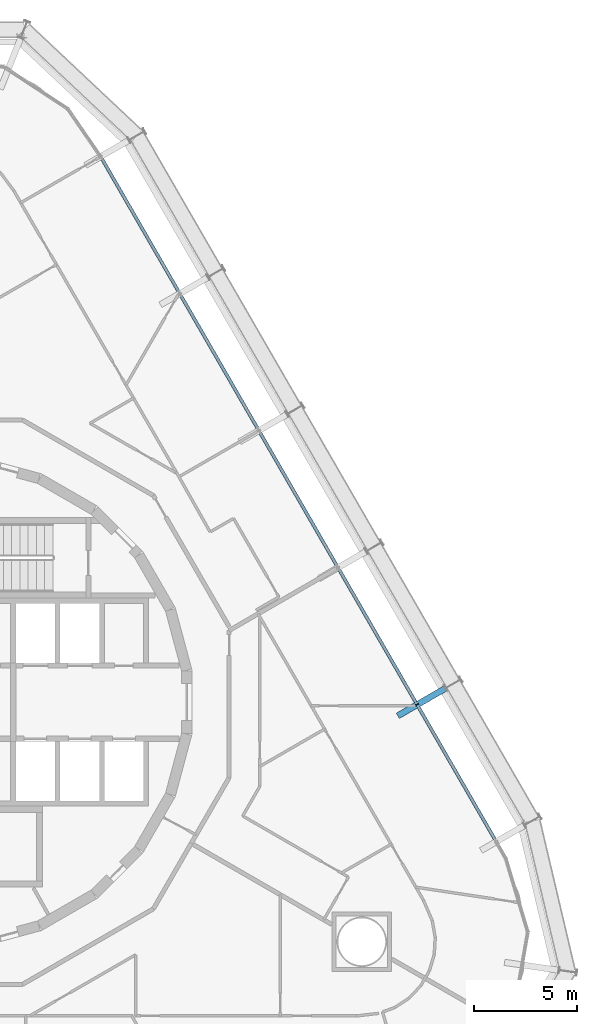
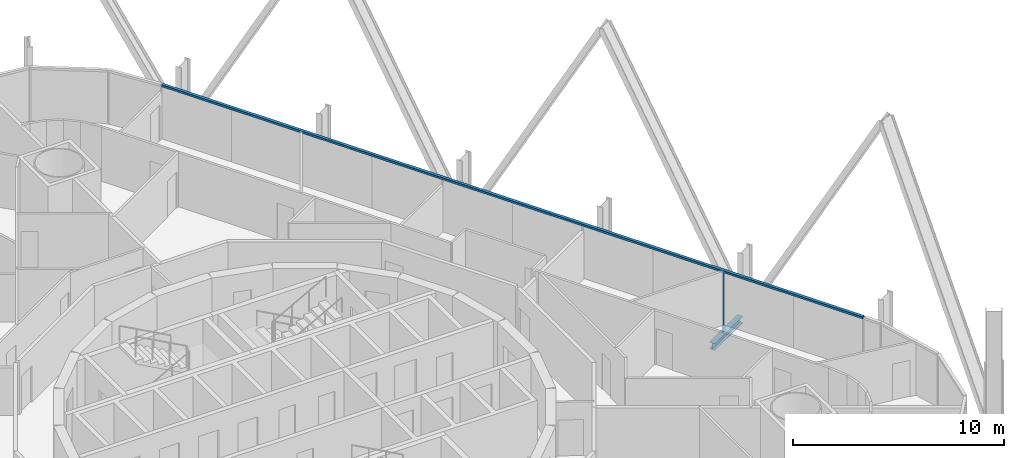
# One storey, part 8 of 21: 2 members, 1 beam, 1 element without a shape of its own.
"""IFC4 building model written with IfcOpenShell, lengths in metres."""

from ifc_helpers import new_model, si_unit, direction, frame, origin, origin_2d, place, context, subcontext, project, spatial, rectangle, i_section, extrude, material, layer, layer_set, material_profile, profile_set, type_object, element, aggregate, save


model = new_model("IFC4")

# Units and contexts
model_context = context("Model", 3, precision=1e-05, world=origin(), true_north=direction((0.0, 1.0)))
body_context = subcontext(model_context, "Body", "Model", "MODEL_VIEW")
ifc_project = project(units=[si_unit("LENGTHUNIT", "METRE"), si_unit("AREAUNIT", "SQUARE_METRE"), si_unit("VOLUMEUNIT", "CUBIC_METRE"), si_unit("PLANEANGLEUNIT", "RADIAN"), si_unit("MASSUNIT", "GRAM", prefix="KILO")], contexts=[model_context])

# Site, building, storey
site_placement = place(None, origin())
site = spatial("IfcSite", under=ifc_project, at=site_placement, CompositionType="ELEMENT")
building_placement = place(site_placement, origin())
building = spatial("IfcBuilding", under=site, at=building_placement, Name="Spindle Arch Residences", CompositionType="ELEMENT")
storey_placement = place(building_placement, frame((0.0, 0.0, 38.39990234375)))
storey = spatial("IfcBuildingStorey", under=building, at=storey_placement, Name="L07", CompositionType="ELEMENT", Elevation=38.39990234375)

# Curtain wall, members
ifc_material_1 = material(Name="Aluminium bronze unitised frame with tinted glass", Category="aluminium")
ifc_layer = layer(ifc_material_1, 0.159912109375)
ifc_layer_set = layer_set([ifc_layer], Name="CW-C typical residential unitised wall")
curtain_wall_type = type_object("IfcCurtainWallType", Name="CW-C typical residential unitised wall", PredefinedType="NOTDEFINED", material=ifc_layer_set)
curtain_wall_placement = place(storey_placement, origin())
curtain_wall = element("IfcCurtainWall", 1, at=curtain_wall_placement, inside=storey, type_object=curtain_wall_type, Name="CW-C L07 run 2", PredefinedType="NOTDEFINED")
ifc_material_2 = material(Name="Aluminium bronze anodised mullion", Category="aluminium")
ifc_material_profile_1 = material_profile(ifc_material_2, rectangle(XDim=0.159912109375, YDim=0.06005859375, at=origin_2d()), Name="MU 60x160")
ifc_profile_set_1 = profile_set([ifc_material_profile_1], Name="Aluminium bronze anodised mullion")
member_type_1 = type_object("IfcMemberType", Name="Bronze mullion 60x160", PredefinedType="MULLION", material=ifc_profile_set_1)
member_1_placement = place(storey_placement, frame((22.829345703125, -0.121826171875, -0.449951171875), z_axis=(0.0, 0.0, 1.0), x_axis=(-0.866025403784, -0.5, 0.0)))
member_1 = element("IfcMember", 2, at=member_1_placement, type_object=member_type_1, Name="CW-C mullion 06", PredefinedType="MULLION", context=body_context, shape_type="SweptSolid", body=[
    extrude(rectangle(XDim=0.159912109375, YDim=0.06005859375, at=origin_2d()), origin(), (0.0, 0.0, 1.0), 3.449951171875),
])
ifc_material_3 = material(Name="Aluminium bronze anodised transom", Category="aluminium")
ifc_material_profile_2 = material_profile(ifc_material_3, rectangle(XDim=0.159912109375, YDim=0.1201171875, at=origin_2d()), Name="TR 120x160")
ifc_profile_set_2 = profile_set([ifc_material_profile_2], Name="Aluminium bronze anodised transom")
member_type_2 = type_object("IfcMemberType", Name="Bronze transom 120x160", PredefinedType="USERDEFINED", material=ifc_profile_set_2)
member_2_placement = place(storey_placement, frame((26.654296875, -6.746826171875, 3.06005859375), z_axis=(-0.50000099666, 0.866024828362, 0.0), x_axis=(-0.866024828362, -0.50000099666, 0.0)))
member_2 = element("IfcMember", 3, at=member_2_placement, type_object=member_type_2, Name="CW-C transom 00", ObjectType="TRANSOM", PredefinedType="USERDEFINED", context=body_context, shape_type="SweptSolid", body=[
    extrude(rectangle(XDim=0.159912109375, YDim=0.1201171875, at=origin_2d()), origin(), (0.0, 0.0, 1.0), 38.34033203125),
])
aggregate(curtain_wall, [member_2, member_1])

# Beam
ifc_material_4 = material(Name="Steel S460ML, intumescent coating R 120", Category="steel")
ifc_material_profile_3 = material_profile(ifc_material_4, i_section(OverallWidth=0.300048828125, OverallDepth=0.389892578125, WebThickness=0.010986328125, FlangeThickness=0.01904296875, FilletRadius=0.027099609375, at=origin_2d()), Name="HEA 400")
ifc_profile_set_3 = profile_set([ifc_material_profile_3], Name="Steel S460ML, intumescent coating R 120")
beam_type = type_object("IfcBeamType", Name="Floor outrigger HEA 400", PredefinedType="BEAM", material=ifc_profile_set_3)
beam_placement = place(storey_placement, frame((24.18896484375, 0.6630859375, -0.64501953125), z_axis=(-0.866029095148, -0.499993606316, 0.0), x_axis=(0.499993606316, -0.866029095148, 0.0)))
element("IfcBeam", 4, at=beam_placement, inside=storey, type_object=beam_type, Name="Floor outrigger 7", PredefinedType="BEAM", context=body_context, shape_type="SweptSolid", body=[
    extrude(i_section(OverallWidth=0.300048828125, OverallDepth=0.389892578125, WebThickness=0.010986328125, FlangeThickness=0.01904296875, FilletRadius=0.027099609375, at=origin_2d()), origin(), (0.0, 0.0, 1.0), 2.64990234375),
])

save(model, "model.ifc")
